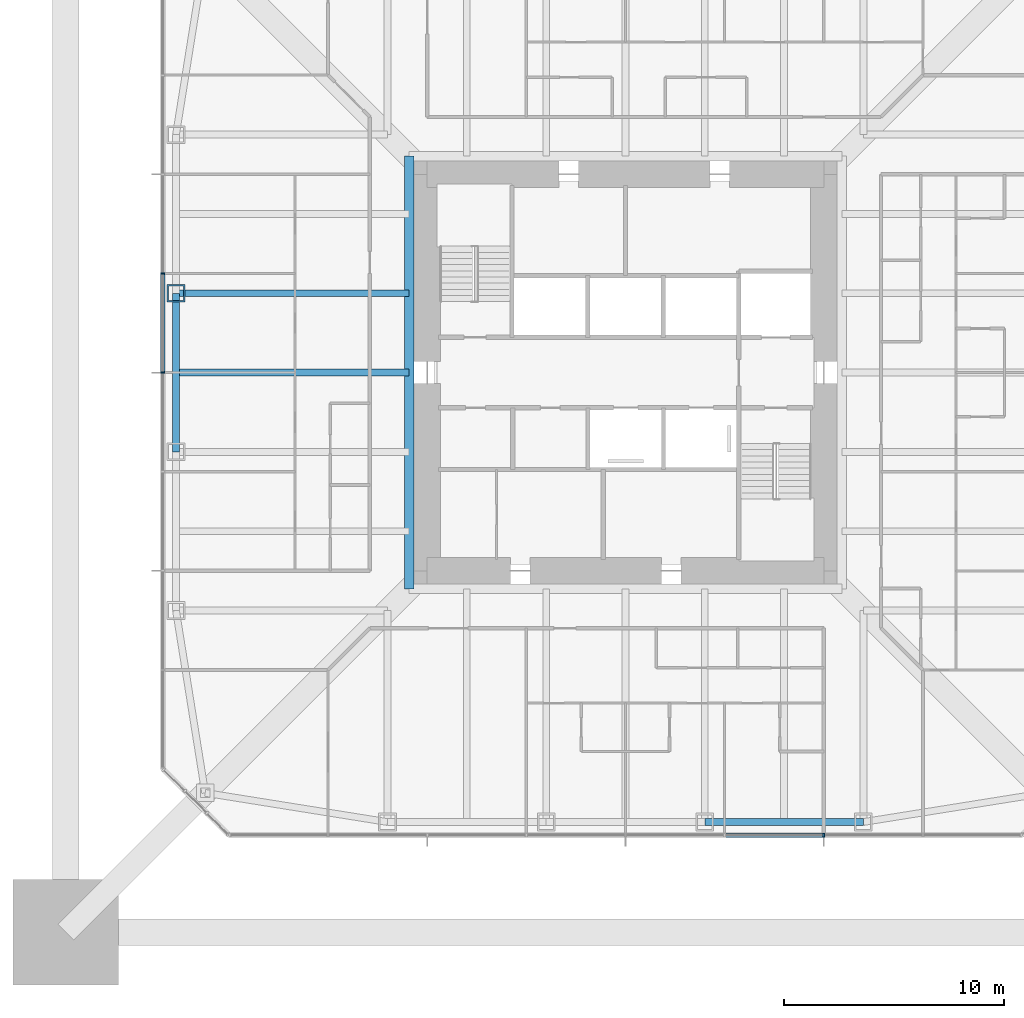
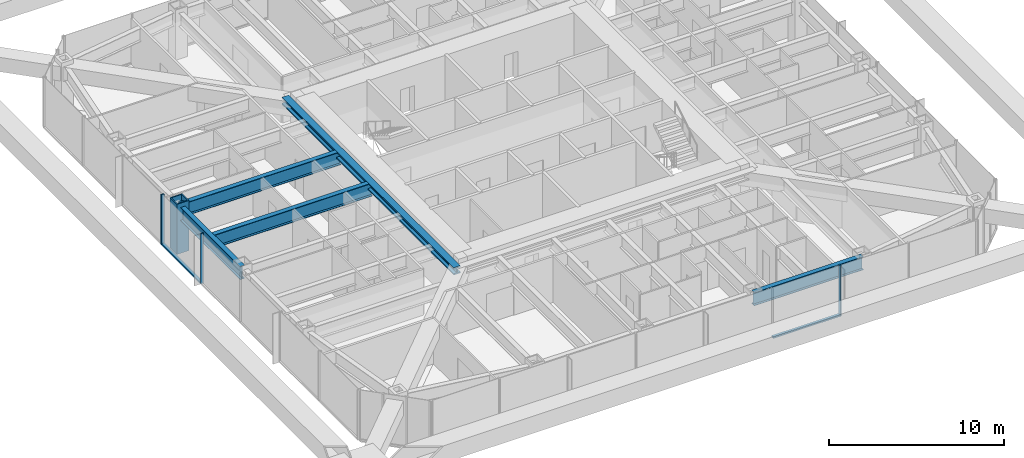
# One storey, part 6 of 20: 6 members, 5 beams, 2 elements without a shape of their own.
"""IFC4 building model written with IfcOpenShell, lengths in metres."""

import ifcopenshell
import ifcopenshell.guid

model = None  # the IFC model being written
_history = None  # IfcOwnerHistory: only IFC2X3 demands one
_inside = {}  # id of a spatial element -> (the spatial element, [elements in it])
_under = {}  # id of a project, library or spatial element -> (it, [spatial elements below it])
_declared = {}  # id of a project -> (the project, [libraries it declares])
_typed = {}  # id of a type object -> (the type object, [elements of that type])
_made_of = {}  # id of a material, layer set ... -> (it, [elements and type objects made of it])


def new_model(schema):
    """Start an empty IFC model of exactly this schema.

    Asked for "IFC4X3", IfcOpenShell would pick the latest addendum, in which some entities
    have other attributes; the version numbers below select the first issue.
    IFC2X3 requires an IfcOwnerHistory on every rooted entity: one is made here for all.
    """
    global model, _history
    if schema == "IFC4X3":
        model = ifcopenshell.file(schema_version=(4, 3, 0, 0))
    else:
        model = ifcopenshell.file(schema=schema)
    _inside.clear()
    _under.clear()
    _declared.clear()
    _typed.clear()
    _made_of.clear()
    _history = None
    if model.schema == "IFC2X3":
        org = make("IfcOrganization", Name="unknown")
        user = make(
            "IfcPersonAndOrganization",
            ThePerson=make("IfcPerson", FamilyName="unknown"),
            TheOrganization=org,
        )
        app = make(
            "IfcApplication",
            ApplicationDeveloper=org,
            Version="unknown",
            ApplicationFullName="unknown",
            ApplicationIdentifier="unknown",
        )
        _history = make(
            "IfcOwnerHistory",
            OwningUser=user,
            OwningApplication=app,
            ChangeAction="ADDED",
            CreationDate=0,
        )
    return model


def make(cls, **values):
    """One entity of the class cls with the attributes given. An attribute that is None is left unset."""
    return model.create_entity(
        cls, **{name: value for name, value in values.items() if value is not None}
    )


def rooted(cls, **values):
    """An entity with a GlobalId (a new one), such as an element, a storey or a relation."""
    return make(cls, GlobalId=ifcopenshell.guid.new(), OwnerHistory=_history, **values)


def si_unit(unit_type, name, prefix=None):
    """IfcSIUnit, for example si_unit("LENGTHUNIT", "METRE", prefix="MILLI")."""
    return make("IfcSIUnit", UnitType=unit_type, Prefix=prefix, Name=name)


def assignment(units):
    """IfcUnitAssignment: the units of a project."""
    return None if units is None else make("IfcUnitAssignment", Units=units)


def point(xyz):
    """IfcCartesianPoint."""
    return None if xyz is None else make("IfcCartesianPoint", Coordinates=xyz)


def direction(xyz):
    """IfcDirection."""
    return None if xyz is None else make("IfcDirection", DirectionRatios=xyz)


def frame(location, z_axis=None, x_axis=None):
    """IfcAxis2Placement3D, a coordinate frame: its origin and axes. An axis left out is left unset."""
    return make(
        "IfcAxis2Placement3D",
        Location=point(location),
        Axis=direction(z_axis),
        RefDirection=direction(x_axis),
    )


def frame_2d(location, x_axis=None):
    """IfcAxis2Placement2D, a coordinate frame in the plane: its origin and x axis."""
    return make(
        "IfcAxis2Placement2D", Location=point(location), RefDirection=direction(x_axis)
    )


def origin():
    """The frame at (0, 0, 0) with its axes left unset."""
    return frame((0.0, 0.0, 0.0))


def origin_2d():
    """The frame at (0, 0) in the plane with its x axis left unset."""
    return frame_2d((0.0, 0.0))


def place(relative_to, where):
    """IfcLocalPlacement: puts the frame where relative to a parent placement (None: the world)."""
    return make(
        "IfcLocalPlacement", PlacementRelTo=relative_to, RelativePlacement=where
    )


def context(
    kind, dimensions, precision=None, world=None, true_north=None, identifier=None
):
    """IfcGeometricRepresentationContext, for example the 3D "Model" context."""
    return make(
        "IfcGeometricRepresentationContext",
        ContextIdentifier=identifier,
        ContextType=kind,
        CoordinateSpaceDimension=dimensions,
        Precision=precision,
        WorldCoordinateSystem=world,
        TrueNorth=true_north,
    )


def subcontext(parent, identifier, kind, view, scale=None):
    """IfcGeometricRepresentationSubContext, for example "Body" below "Model"."""
    return make(
        "IfcGeometricRepresentationSubContext",
        ContextIdentifier=identifier,
        ContextType=kind,
        ParentContext=parent,
        TargetScale=scale,
        TargetView=view,
    )


def project(units=None, contexts=None):
    """IfcProject with its units and contexts."""
    return rooted(
        "IfcProject",
        Name="project",
        RepresentationContexts=contexts,
        UnitsInContext=assignment(units),
    )


def spatial(cls, under=None, at=None, **own):
    """A site, building, storey or space (cls), placed at a placement, below another one or the project."""
    s = rooted(cls, ObjectPlacement=at, **own)
    if under is not None:
        _under.setdefault(under.id(), (under, []))[1].append(s)
    return s


def profile(cls, at=None, kind="AREA", **sizes):
    """A parametric profile (cls). Its sizes go by their IFC names, for example OverallWidth=200.0."""
    return make(cls, ProfileType=kind, Position=at, **sizes)


def rectangle(**sizes):
    """IfcRectangleProfileDef."""
    return profile("IfcRectangleProfileDef", **sizes)


def hollow_rectangle(**sizes):
    """IfcRectangleHollowProfileDef."""
    return profile("IfcRectangleHollowProfileDef", **sizes)


def i_section(**sizes):
    """IfcIShapeProfileDef."""
    return profile("IfcIShapeProfileDef", **sizes)


def extrude(swept, where, along, depth):
    """IfcExtrudedAreaSolid: the profile swept, set in the frame where, extruded along a direction by depth."""
    return make(
        "IfcExtrudedAreaSolid",
        SweptArea=swept,
        Position=where,
        ExtrudedDirection=direction(along),
        Depth=depth,
    )


def shape(context_of_items, identifier, shape_type, items):
    """IfcShapeRepresentation: the items that make up one representation, for example the "Body"."""
    return make(
        "IfcShapeRepresentation",
        ContextOfItems=context_of_items,
        RepresentationIdentifier=identifier,
        RepresentationType=shape_type,
        Items=items,
    )


def material(Name=None, Category=None):
    """IfcMaterial."""
    return make("IfcMaterial", Name=Name, Category=Category)


def material_profile(
    of_material, cross_section, Name=None, Category=None, Priority=None
):
    """IfcMaterialProfile: a cross section and its material."""
    return make(
        "IfcMaterialProfile",
        Name=Name,
        Material=of_material,
        Profile=cross_section,
        Priority=Priority,
        Category=Category,
    )


def profile_set(profiles, Name=None, composite=None):
    """IfcMaterialProfileSet."""
    return make(
        "IfcMaterialProfileSet",
        Name=Name,
        MaterialProfiles=profiles,
        CompositeProfile=composite,
    )


def made_of(thing, what):
    """Note that an element or type object is made of a material, layer set ...; save() writes the relation."""
    if what is not None:
        _made_of.setdefault(what.id(), (what, []))[1].append(thing)
    return thing


def type_object(cls, material=None, **own):
    """A type object (cls), such as IfcWallType, which elements share."""
    return made_of(rooted(cls, **own), material)


def element(
    cls,
    number,
    at=None,
    inside=None,
    cuts=None,
    type_object=None,
    material=None,
    context=None,
    identifier="Body",
    shape_type=None,
    held_by="IfcProductDefinitionShape",
    body=None,
    shapes=None,
    **own,
):
    """One element of the class cls, such as IfcWall. Its Tag is "e" and its number.

    at: its placement. inside: the storey or other place that contains it. cuts: it is an
    opening in that element (IfcRelVoidsElement). A single representation is given by context,
    identifier, shape_type and body (its items); several are given by shapes. held_by: the class
    of the entity that holds the representations. save() writes the other relations.
    """
    e = rooted(cls, Tag="e%d" % number, ObjectPlacement=at, **own)
    if body is not None:
        shapes = [shape(context, identifier, shape_type, body)]
    if shapes is not None:
        e.Representation = make(held_by, Representations=shapes)
    if inside is not None:
        _inside.setdefault(inside.id(), (inside, []))[1].append(e)
    if cuts is not None:
        rooted(
            "IfcRelVoidsElement", RelatingBuildingElement=cuts, RelatedOpeningElement=e
        )
    if type_object is not None:
        _typed.setdefault(type_object.id(), (type_object, []))[1].append(e)
    return made_of(e, material)


def aggregate(whole, parts):
    """IfcRelAggregates: a whole, such as a stair, and the parts it consists of."""
    return rooted("IfcRelAggregates", RelatingObject=whole, RelatedObjects=parts)


def save(model, path):
    """Write the relations noted so far, then the file.

    IfcRelAggregates (storeys below a building ...), IfcRelContainedInSpatialStructure (elements
    in a storey), IfcRelDefinesByType, IfcRelAssociatesMaterial and IfcRelDeclares: one each for
    every whole, place, type object, material and project.
    """
    for whole, parts in _under.values():
        aggregate(whole, parts)
    for where, things in _inside.values():
        rooted(
            "IfcRelContainedInSpatialStructure",
            RelatedElements=things,
            RelatingStructure=where,
        )
    for kind, things in _typed.values():
        rooted("IfcRelDefinesByType", RelatedObjects=things, RelatingType=kind)
    for what, things in _made_of.values():
        rooted("IfcRelAssociatesMaterial", RelatedObjects=things, RelatingMaterial=what)
    for by, libraries in _declared.values():
        rooted("IfcRelDeclares", RelatingContext=by, RelatedDefinitions=libraries)
    model.write(path)


model = new_model("IFC4")

# Units and contexts
model_context = context("Model", 3, precision=1e-05, world=origin(), true_north=direction((0.0, 1.0)))
body_context = subcontext(model_context, "Body", "Model", "MODEL_VIEW")
ifc_project = project(units=[si_unit("LENGTHUNIT", "METRE"), si_unit("AREAUNIT", "SQUARE_METRE"), si_unit("VOLUMEUNIT", "CUBIC_METRE"), si_unit("PLANEANGLEUNIT", "RADIAN"), si_unit("MASSUNIT", "GRAM", prefix="KILO")], contexts=[model_context])

# Site, building, storey
site_placement = place(None, origin())
site = spatial("IfcSite", under=ifc_project, at=site_placement, CompositionType="ELEMENT")
building_placement = place(site_placement, origin())
building = spatial("IfcBuilding", under=site, at=building_placement, Name="Iwan Alto Co-Living Towers", CompositionType="ELEMENT")
storey_placement = place(building_placement, frame((0.0, 0.0, 140.0)))
storey = spatial("IfcBuildingStorey", under=building, at=storey_placement, Name="L38", CompositionType="ELEMENT", Elevation=140.0)

# Curtain wall, member
ifc_material_1 = material(Name="Bronze aluminium unitised frame", Category="aluminium")
curtain_wall_type = type_object("IfcCurtainWallType", Name="CURTAIN WALL CW-A", PredefinedType="NOTDEFINED", material=ifc_material_1)
curtain_wall_1_placement = place(storey_placement, origin())
curtain_wall_1 = element("IfcCurtainWall", 1, at=curtain_wall_1_placement, inside=storey, type_object=curtain_wall_type, Name="T1 curtain wall S L38", PredefinedType="NOTDEFINED")
ifc_material_2 = material(Name="Aluminium 6063-T6 bronze anodised", Category="aluminium")
ifc_material_profile_1 = material_profile(ifc_material_2, rectangle(XDim=0.199951171875, YDim=0.080078125, at=origin_2d()), Name="AL 80X200")
ifc_profile_set_1 = profile_set([ifc_material_profile_1], Name="Aluminium 6063-T6 bronze anodised")
member_type_1 = type_object("IfcMemberType", Name="CW-A MULLION 80X200", PredefinedType="MULLION", material=ifc_profile_set_1)
member_1_placement = place(storey_placement, frame((9.0, -21.0, 0.0), z_axis=(0.0, 0.0, 1.0), x_axis=(0.0, 1.0, 0.0)))
member_1 = element("IfcMember", 2, at=member_1_placement, type_object=member_type_1, Name="CW-A mullion 7", PredefinedType="MULLION", context=body_context, shape_type="SweptSolid", body=[
    extrude(rectangle(XDim=0.199951171875, YDim=0.080078125, at=origin_2d()), origin(), (0.0, 0.0, 1.0), 3.5),
])

# Curtain wall, members
curtain_wall_2_placement = place(storey_placement, origin())
curtain_wall_2 = element("IfcCurtainWall", 3, at=curtain_wall_2_placement, inside=storey, type_object=curtain_wall_type, Name="T1 curtain wall W L38", PredefinedType="NOTDEFINED")
member_2_placement = place(storey_placement, frame((-21.0, 4.5, 0.0), z_axis=(0.0, 0.0, 1.0), x_axis=(1.0, 0.0, 0.0)))
member_2 = element("IfcMember", 4, at=member_2_placement, type_object=member_type_1, Name="CW-A mullion 4", PredefinedType="MULLION", context=body_context, shape_type="SweptSolid", body=[
    extrude(rectangle(XDim=0.199951171875, YDim=0.080078125, at=origin_2d()), origin(), (0.0, 0.0, 1.0), 3.5),
])
member_3_placement = place(storey_placement, frame((-21.0, 0.0, 0.0), z_axis=(0.0, 0.0, 1.0), x_axis=(1.0, 0.0, 0.0)))
member_3 = element("IfcMember", 5, at=member_3_placement, type_object=member_type_1, Name="CW-A mullion 5", PredefinedType="MULLION", context=body_context, shape_type="SweptSolid", body=[
    extrude(rectangle(XDim=0.199951171875, YDim=0.080078125, at=origin_2d()), origin(), (0.0, 0.0, 1.0), 3.5),
])

# Member
ifc_material_3 = material(Name="Aluminium 6063-T6 bronze anodised", Category="aluminium")
ifc_material_profile_2 = material_profile(ifc_material_3, rectangle(XDim=0.199951171875, YDim=0.10009765625, at=origin_2d()), Name="AL 200X100")
ifc_profile_set_2 = profile_set([ifc_material_profile_2], Name="Aluminium 6063-T6 bronze anodised")
member_type_2 = type_object("IfcMemberType", Name="CW-A TRANSOM 200X100", PredefinedType="USERDEFINED", material=ifc_profile_set_2)
member_4_placement = place(storey_placement, frame((4.5400390625, -21.0, 0.050048828125), z_axis=(1.0, 0.0, 0.0), x_axis=(0.0, 1.0, 0.0)))
member_4 = element("IfcMember", 6, at=member_4_placement, type_object=member_type_2, Name="CW-A transom 6.1", ObjectType="TRANSOM", PredefinedType="USERDEFINED", context=body_context, shape_type="SweptSolid", body=[
    extrude(rectangle(XDim=0.199951171875, YDim=0.10009765625, at=origin_2d()), origin(), (0.0, 0.0, 1.0), 4.419921875),
])

aggregate(curtain_wall_1, [member_1, member_4])

member_5_placement = place(storey_placement, frame((-21.0, 4.4599609375, 0.050048828125), z_axis=(0.0, -1.0, 0.0), x_axis=(1.0, 0.0, 0.0)))
member_5 = element("IfcMember", 7, at=member_5_placement, type_object=member_type_2, Name="CW-A transom 4.1", ObjectType="TRANSOM", PredefinedType="USERDEFINED", context=body_context, shape_type="SweptSolid", body=[
    extrude(rectangle(XDim=0.199951171875, YDim=0.10009765625, at=origin_2d()), origin(), (0.0, 0.0, 1.0), 4.419921875),
])

aggregate(curtain_wall_2, [member_2, member_3, member_5])

# Beams
ifc_material_4 = material(Name="Steel ASTM A992 Gr 50", Category="steel")
ifc_material_profile_3 = material_profile(ifc_material_4, i_section(OverallWidth=0.307373046875, OverallDepth=0.927001953125, WebThickness=0.01953125, FlangeThickness=0.031982421875, at=origin_2d()), Name="W36X194")
ifc_profile_set_3 = profile_set([ifc_material_profile_3], Name="Steel ASTM A992 Gr 50")
beam_type_1 = type_object("IfcBeamType", Name="T1 BELT TRUSS CHORD W36X194", PredefinedType="BEAM", material=ifc_profile_set_3)
beam_1_placement = place(storey_placement, frame((3.60009765625, -20.39990234375, 2.736328125), z_axis=(1.0, 0.0, 0.0), x_axis=(0.0, 1.0, 0.0)))
element("IfcBeam", 8, at=beam_1_placement, inside=storey, type_object=beam_type_1, Name="T1 edge beam S3 L39", PredefinedType="BEAM", context=body_context, shape_type="SweptSolid", body=[
    extrude(i_section(OverallWidth=0.307373046875, OverallDepth=0.927001953125, WebThickness=0.01953125, FlangeThickness=0.031982421875, at=origin_2d()), origin(), (0.0, 0.0, 1.0), 7.199951171875),
])
beam_2_placement = place(storey_placement, frame((-20.39990234375, 3.60009765625, 2.736328125), z_axis=(0.0, -1.0, 0.0), x_axis=(1.0, 0.0, 0.0)))
element("IfcBeam", 9, at=beam_2_placement, inside=storey, type_object=beam_type_1, Name="T1 edge beam W2 L39", PredefinedType="BEAM", context=body_context, shape_type="SweptSolid", body=[
    extrude(i_section(OverallWidth=0.307373046875, OverallDepth=0.927001953125, WebThickness=0.01953125, FlangeThickness=0.031982421875, at=origin_2d()), origin(), (0.0, 0.0, 1.0), 7.2001953125),
])
ifc_material_5 = material(Name="Steel ASTM A992 Gr 50", Category="steel")
ifc_material_profile_4 = material_profile(ifc_material_5, i_section(OverallWidth=0.436767578125, OverallDepth=0.51318359375, WebThickness=0.060546875, FlangeThickness=0.096923828125, at=origin_2d()), Name="W14X550")
ifc_profile_set_4 = profile_set([ifc_material_profile_4], Name="Steel ASTM A992 Gr 50")
beam_type_2 = type_object("IfcBeamType", Name="T1 CORE LEDGER BEAM W14X550", PredefinedType="BEAM", material=ifc_profile_set_4)
beam_3_placement = place(storey_placement, frame((-9.818359375, 9.818359375, 2.943359375), z_axis=(0.0, -1.0, 0.0), x_axis=(1.0, 0.0, 0.0)))
element("IfcBeam", 10, at=beam_3_placement, inside=storey, type_object=beam_type_2, Name="T1 core ledger beam W L39", PredefinedType="BEAM", context=body_context, shape_type="SweptSolid", body=[
    extrude(i_section(OverallWidth=0.436767578125, OverallDepth=0.51318359375, WebThickness=0.060546875, FlangeThickness=0.096923828125, at=origin_2d()), origin(), (0.0, 0.0, 1.0), 19.63671875),
])
ifc_material_6 = material(Name="Steel ASTM A992 Gr 50", Category="steel")
ifc_material_profile_5 = material_profile(ifc_material_6, i_section(OverallWidth=0.307373046875, OverallDepth=0.927001953125, WebThickness=0.01953125, FlangeThickness=0.031982421875, at=origin_2d()), Name="W36X194")
ifc_profile_set_5 = profile_set([ifc_material_profile_5], Name="Steel ASTM A992 Gr 50")
beam_type_3 = type_object("IfcBeamType", Name="T1 RADIAL BEAM W36X194", PredefinedType="BEAM", material=ifc_profile_set_5)
beam_4_placement = place(storey_placement, frame((-20.39990234375, 3.60009765625, 2.736328125), z_axis=(1.0, 0.0, 0.0), x_axis=(0.0, 1.0, 0.0)))
element("IfcBeam", 11, at=beam_4_placement, inside=storey, type_object=beam_type_3, Name="T1 radial beam W2 L39", PredefinedType="BEAM", context=body_context, shape_type="SweptSolid", body=[
    extrude(i_section(OverallWidth=0.307373046875, OverallDepth=0.927001953125, WebThickness=0.01953125, FlangeThickness=0.031982421875, at=origin_2d()), origin(), (0.0, 0.0, 1.0), 10.58154296875),
])

# Member
ifc_material_7 = material(Name="Steel ASTM A572 Gr 50", Category="steel")
ifc_material_profile_6 = material_profile(ifc_material_7, hollow_rectangle(XDim=0.800048828125, YDim=0.800048828125, WallThickness=0.070068359375, at=origin_2d()), Name="BOX 800X800X70")
ifc_profile_set_6 = profile_set([ifc_material_profile_6], Name="Steel ASTM A572 Gr 50")
member_type_3 = type_object("IfcMemberType", Name="T1 RING POST AT STEP BOX 800X800X70", PredefinedType="MEMBER", material=ifc_profile_set_6)
member_6_placement = place(storey_placement, frame((-20.39990234375, 3.60009765625, 0.0), z_axis=(0.0, 0.0, 1.0), x_axis=(1.0, 0.0, 0.0)))
element("IfcMember", 12, at=member_6_placement, inside=storey, type_object=member_type_3, Name="T1 ring post at step W2 L38", PredefinedType="MEMBER", context=body_context, shape_type="SweptSolid", body=[
    extrude(hollow_rectangle(XDim=0.800048828125, YDim=0.800048828125, WallThickness=0.070068359375, at=origin_2d()), origin(), (0.0, 0.0, 1.0), 3.5),
])

# Beam
ifc_material_8 = material(Name="Steel ASTM A992 Gr 50", Category="steel")
ifc_material_profile_7 = material_profile(ifc_material_8, i_section(OverallWidth=0.307373046875, OverallDepth=0.927001953125, WebThickness=0.01953125, FlangeThickness=0.031982421875, at=origin_2d()), Name="W36X194")
ifc_profile_set_7 = profile_set([ifc_material_profile_7], Name="Steel ASTM A992 Gr 50")
beam_type_4 = type_object("IfcBeamType", Name="T1 SECONDARY BEAM W36X194", PredefinedType="JOIST", material=ifc_profile_set_7)
beam_5_placement = place(storey_placement, frame((-20.39990234375, 0.0, 2.736328125), z_axis=(1.0, 0.0, 0.0), x_axis=(0.0, 1.0, 0.0)))
element("IfcBeam", 13, at=beam_5_placement, inside=storey, type_object=beam_type_4, Name="T1 secondary beam W2 L39", PredefinedType="JOIST", context=body_context, shape_type="SweptSolid", body=[
    extrude(i_section(OverallWidth=0.307373046875, OverallDepth=0.927001953125, WebThickness=0.01953125, FlangeThickness=0.031982421875, at=origin_2d()), origin(), (0.0, 0.0, 1.0), 10.58154296875),
])

save(model, "model.ifc")
